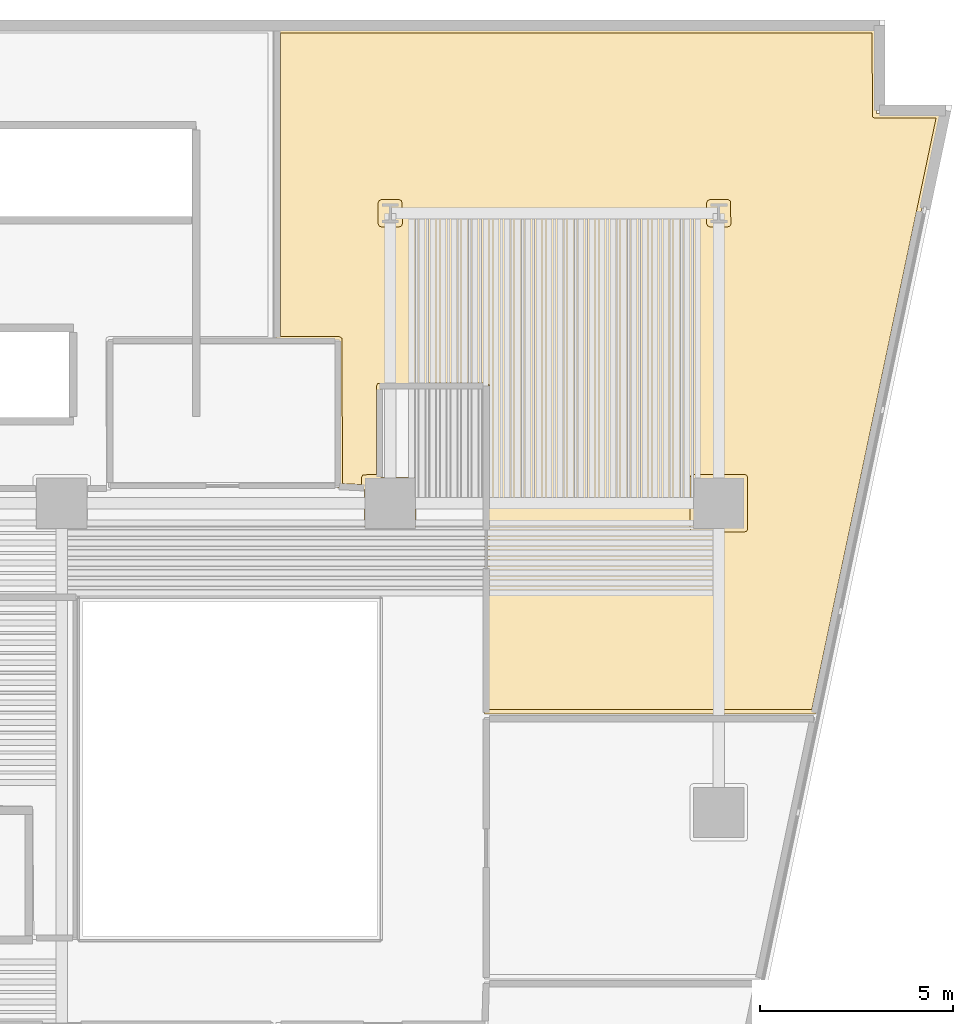
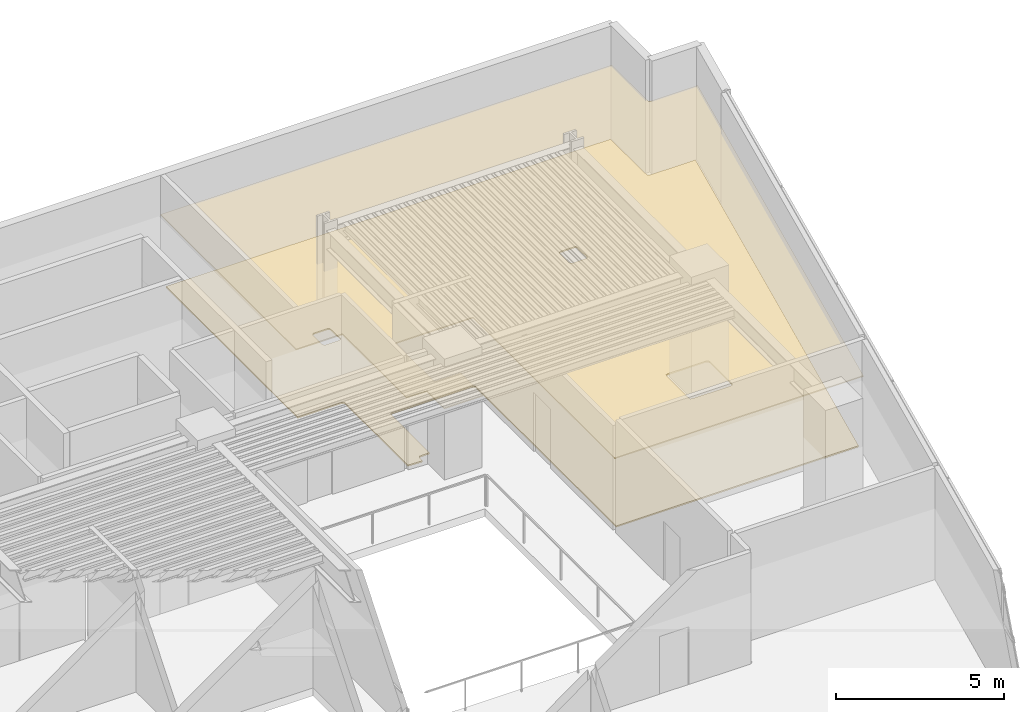
# One storey, part 12 of 12: 2 coverings.
"""IFC4 building model written with IfcOpenShell, lengths in metres."""

from ifc_helpers import new_model, si_unit, direction, frame, origin, place, context, subcontext, project, spatial, polyline, outline, extrude, material, layer, layer_set, type_object, element, save


model = new_model("IFC4")

# Units and contexts
model_context = context("Model", 3, precision=1e-05, world=origin(), true_north=direction((0.0, 1.0)))
body_context = subcontext(model_context, "Body", "Model", "MODEL_VIEW")
ifc_project = project(units=[si_unit("LENGTHUNIT", "METRE"), si_unit("AREAUNIT", "SQUARE_METRE"), si_unit("VOLUMEUNIT", "CUBIC_METRE"), si_unit("PLANEANGLEUNIT", "RADIAN"), si_unit("MASSUNIT", "GRAM", prefix="KILO")], contexts=[model_context])

# Site, building, storey
site_placement = place(None, origin())
site = spatial("IfcSite", under=ifc_project, at=site_placement, CompositionType="ELEMENT")
building_placement = place(site_placement, origin())
building = spatial("IfcBuilding", under=site, at=building_placement, Name="Caeloran Harvest Quay", CompositionType="ELEMENT")
storey_placement = place(building_placement, frame((0.0, 0.0, 79.800048828125)))
storey = spatial("IfcBuildingStorey", under=building, at=storey_placement, Name="L18", CompositionType="ELEMENT", Elevation=79.800048828125)

# Coverings
ifc_material_1 = material(Name="Perforated Mineral-Fibre Acoustic Ceiling Tile", Category="ceiling")
ifc_layer_1 = layer(ifc_material_1, 0.0400390625, Name="Perforated Mineral-Fibre Acoustic Ceiling Tile")
ifc_layer_set_1 = layer_set([ifc_layer_1], Name="Perforated Mineral-Fibre Acoustic Ceiling Tile")
covering_type_1 = type_object("IfcCoveringType", Name="COV-CEILING-ACOUSTIC", PredefinedType="CEILING", material=ifc_layer_set_1)
covering_1_placement = place(storey_placement, frame((0.0, 0.0, 2.599853515625)))
element("IfcCovering", 1, at=covering_1_placement, inside=storey, type_object=covering_type_1, Name="Gastronomy Seminar Room 11 Acoustic Ceiling", PredefinedType="CEILING", context=body_context, shape_type="SweptSolid", body=[
    extrude(outline(polyline([(41.830078125, 31.3583984375), (41.139892578125, 31.390625), (41.139892578125, 35.18994140625), (39.5400390625, 35.18994140625), (39.5400390625, 43.280029296875), (55.080078125, 43.280029296875), (55.080078125, 41.080078125), (56.766845703125, 41.080078125), (53.502197265625, 25.5400390625), (44.93994140625, 25.5400390625), (44.93994140625, 33.989990234375), (42.260009765625, 33.989990234375), (42.260009765625, 31.669921875), (43.169921875, 31.669921875), (43.169921875, 30.330078125), (41.830078125, 30.330078125), (41.830078125, 31.3583984375)])), origin(), (0.0, 0.0, 1.0), 0.0400390625),
])
ifc_material_2 = material(Name="Calcium-Sulphate Raised Access Floor and Terrazzo Finish", Category="flooring")
ifc_layer_2 = layer(ifc_material_2, 0.050048828125, Name="Calcium-Sulphate Raised Access Floor and Terrazzo Finish")
ifc_layer_set_2 = layer_set([ifc_layer_2], Name="Calcium-Sulphate Raised Access Floor and Terrazzo Finish")
covering_type_2 = type_object("IfcCoveringType", Name="COV-FLOOR-RAISED", PredefinedType="FLOORING", material=ifc_layer_set_2)
covering_2_placement = place(storey_placement, origin())
element("IfcCovering", 2, at=covering_2_placement, inside=storey, type_object=covering_type_2, Name="Gastronomy Seminar Room 11 Raised Finish Flooring", PredefinedType="FLOORING", context=body_context, shape_type="SweptSolid", body=[
    extrude(outline(polyline([(39.659912109375, 35.31005859375), (39.659912109375, 43.159912109375), (54.9599609375, 43.159912109375), (54.978271484375, 40.9892578125), (55.0400390625, 40.9599609375), (56.618896484375, 40.9599609375), (53.40478515625, 25.659912109375), (45.06005859375, 25.659912109375), (45.050537109375, 34.067626953125), (44.97998046875, 34.110107421875), (42.175537109375, 34.096435546875), (42.139892578125, 34.030029296875), (42.139892578125, 31.7451171875), (41.79052734375, 31.7314453125), (41.75537109375, 31.6728515625), (41.7548828125, 31.48193359375), (41.260009765625, 31.505126953125), (41.25390625, 35.260498046875), (41.179931640625, 35.31005859375), (39.659912109375, 35.31005859375)]), holes=[polyline([(51.7451171875, 31.6650390625), (51.7216796875, 31.7216796875), (51.6650390625, 31.7451171875), (50.3349609375, 31.7451171875), (50.2783203125, 31.7216796875), (50.2548828125, 31.6650390625), (50.2548828125, 30.3349609375), (50.2783203125, 30.2783203125), (50.3349609375, 30.2548828125), (51.6650390625, 30.2548828125), (51.7216796875, 30.2783203125), (51.7451171875, 30.3349609375), (51.7451171875, 31.6650390625)]), polyline([(51.3134765625, 38.22802734375), (51.29541015625, 38.82275390625), (51.2412109375, 38.8515625), (50.7666015625, 38.85205078125), (50.7099609375, 38.82861328125), (50.6865234375, 38.77197265625), (50.6865234375, 38.22802734375), (50.7099609375, 38.17138671875), (50.7666015625, 38.14794921875), (51.2333984375, 38.14794921875), (51.2900390625, 38.17138671875), (51.3134765625, 38.22802734375)]), polyline([(42.8134765625, 38.22802734375), (42.79541015625, 38.82275390625), (42.7412109375, 38.8515625), (42.2666015625, 38.85205078125), (42.2099609375, 38.82861328125), (42.1865234375, 38.77197265625), (42.1865234375, 38.22802734375), (42.2099609375, 38.17138671875), (42.2666015625, 38.14794921875), (42.7333984375, 38.14794921875), (42.7900390625, 38.17138671875), (42.8134765625, 38.22802734375)])]), origin(), (0.0, 0.0, 1.0), 0.050048828125),
])

save(model, "model.ifc")
